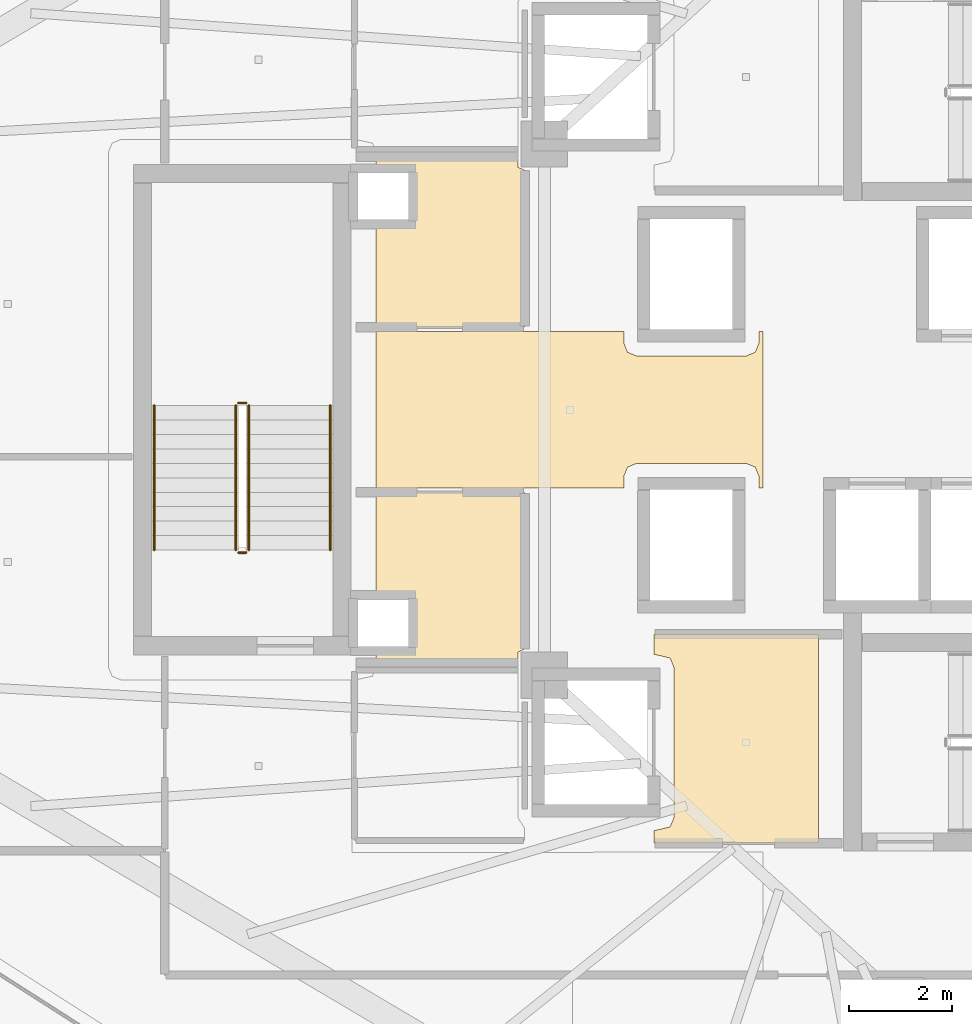
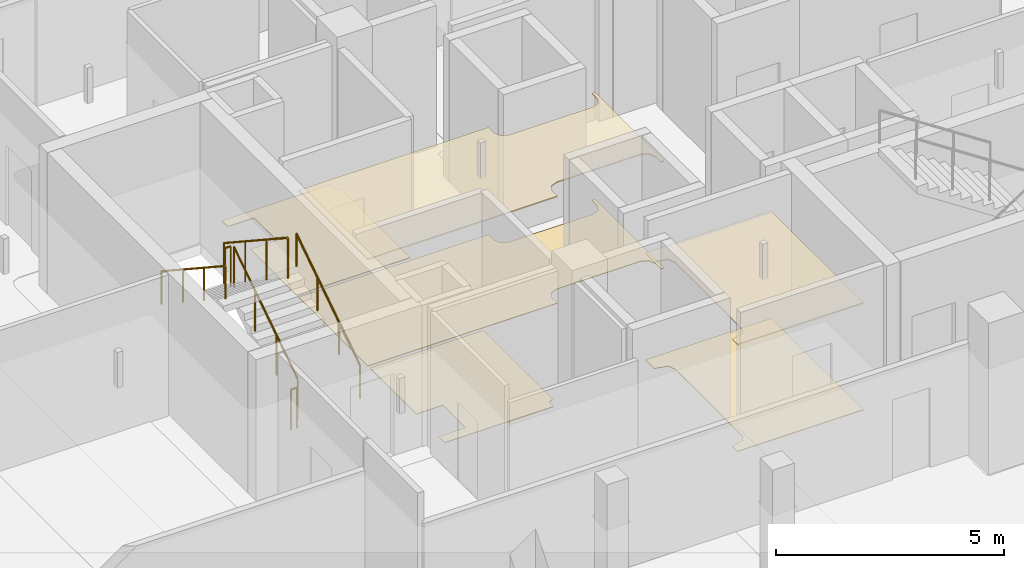
# One storey, part 26 of 30: 6 coverings, 6 railings.
"""IFC4 building model written with IfcOpenShell, lengths in metres."""

from ifc_helpers import new_model, si_unit, direction, frame, origin, origin_2d, place, context, subcontext, project, spatial, polyline, circle, outline, extrude, material, layer, layer_set, type_object, element, save


model = new_model("IFC4")

# Units and contexts
model_context = context("Model", 3, precision=1e-05, world=origin(), true_north=direction((0.0, 1.0)))
body_context = subcontext(model_context, "Body", "Model", "MODEL_VIEW")
ifc_project = project(units=[si_unit("LENGTHUNIT", "METRE"), si_unit("AREAUNIT", "SQUARE_METRE"), si_unit("VOLUMEUNIT", "CUBIC_METRE"), si_unit("PLANEANGLEUNIT", "RADIAN"), si_unit("MASSUNIT", "GRAM", prefix="KILO")], contexts=[model_context])

# Site, building, storey
site_placement = place(None, origin())
site = spatial("IfcSite", under=ifc_project, at=site_placement, CompositionType="ELEMENT")
building_placement = place(site_placement, origin())
building = spatial("IfcBuilding", under=site, at=building_placement, Name="Qorvath Tower", CompositionType="ELEMENT")
storey_placement = place(building_placement, frame((0.0, 0.0, 217.199951171875)))
storey = spatial("IfcBuildingStorey", under=building, at=storey_placement, Name="L50", CompositionType="ELEMENT", Elevation=217.199951171875)

# Coverings
ifc_material_1 = material(Name="Acoustic mineral fibre ceiling tile", Category="gypsum")
ifc_layer_1 = layer(ifc_material_1, 0.030029296875)
ifc_layer_set_1 = layer_set([ifc_layer_1], Name="COV-CEIL")
covering_type_1 = type_object("IfcCoveringType", Name="COV-CEIL", PredefinedType="CEILING", material=ifc_layer_set_1)
covering_1_placement = place(storey_placement, frame((0.0, 0.0, 2.85009765625)))
element("IfcCovering", 1, at=covering_1_placement, inside=storey, type_object=covering_type_1, Name="L50 Suspended Acoustic Ceiling 002", PredefinedType="CEILING", context=body_context, shape_type="SweptSolid", body=[
    extrude(outline(polyline([(-25.18994140625, -8.39501953125), (-25.18994140625, -4.35498046875), (-28.375, -4.35498046875), (-28.375, -4.739990234375), (-28.063232421875, -4.813232421875), (-27.989990234375, -4.989990234375), (-27.989990234375, -7.909912109375), (-28.063232421875, -8.086669921875), (-28.375, -8.159912109375), (-28.375, -8.39501953125), (-25.18994140625, -8.39501953125)])), origin(), (0.0, 0.0, 1.0), 0.030029296875),
])
covering_2_placement = place(storey_placement, frame((0.0, 0.0, 2.85009765625)))
element("IfcCovering", 2, at=covering_2_placement, inside=storey, type_object=covering_type_1, Name="L50 Suspended Acoustic Ceiling 011", PredefinedType="CEILING", context=body_context, shape_type="SweptSolid", body=[
    extrude(outline(polyline([(-26.2587890625, -1.514892578125), (-26.2587890625, 1.514892578125), (-26.340087890625, 1.514892578125), (-26.340087890625, 1.2900390625), (-26.413330078125, 1.11328125), (-26.590087890625, 1.0400390625), (-28.7099609375, 1.0400390625), (-28.88671875, 1.11328125), (-28.9599609375, 1.2900390625), (-28.9599609375, 1.514892578125), (-33.760009765625, 1.514892578125), (-33.760009765625, -1.514892578125), (-28.9599609375, -1.514892578125), (-28.9599609375, -1.2900390625), (-28.88671875, -1.11328125), (-28.7099609375, -1.0400390625), (-26.590087890625, -1.0400390625), (-26.413330078125, -1.11328125), (-26.340087890625, -1.2900390625), (-26.340087890625, -1.514892578125), (-26.2587890625, -1.514892578125)])), origin(), (0.0, 0.0, 1.0), 0.030029296875),
])
ifc_material_2 = material(Name="Low-VOC modular carpet tile", Category="textile")
ifc_layer_2 = layer(ifc_material_2, 0.014892578125)
ifc_layer_set_2 = layer_set([ifc_layer_2], Name="COV-FLOOR-CPT")
covering_type_2 = type_object("IfcCoveringType", Name="COV-FLOOR-CPT", PredefinedType="FLOORING", material=ifc_layer_set_2)
covering_3_placement = place(storey_placement, origin())
element("IfcCovering", 3, at=covering_3_placement, inside=storey, type_object=covering_type_2, Name="L50 Floor Finish 006", PredefinedType="FLOORING", context=body_context, shape_type="SweptSolid", body=[
    extrude(outline(polyline([(-31.010009765625, 4.89501953125), (-33.760009765625, 4.89501953125), (-33.760009765625, 4.633056640625), (-33.08837890625, 4.631591796875), (-33.0869140625, 3.64208984375), (-33.760009765625, 3.636962890625), (-33.760009765625, 1.60498046875), (-30.885009765625, 1.60498046875), (-30.885009765625, 4.639892578125), (-31.010009765625, 4.699951171875), (-31.010009765625, 4.89501953125)])), origin(), (0.0, 0.0, 1.0), 0.01513671875),
])
covering_4_placement = place(storey_placement, origin())
element("IfcCovering", 4, at=covering_4_placement, inside=storey, type_object=covering_type_2, Name="L50 Floor Finish 008", PredefinedType="FLOORING", context=body_context, shape_type="SweptSolid", body=[
    extrude(outline(polyline([(-30.885009765625, -1.60498046875), (-33.760009765625, -1.60498046875), (-33.760009765625, -3.636962890625), (-33.08837890625, -3.638427734375), (-33.0869140625, -4.6279296875), (-33.760009765625, -4.633056640625), (-33.760009765625, -4.89501953125), (-31.010009765625, -4.89501953125), (-31.010009765625, -4.699951171875), (-30.885009765625, -4.639892578125), (-30.885009765625, -1.60498046875)])), origin(), (0.0, 0.0, 1.0), 0.01513671875),
])
ifc_material_3 = material(Name="Polished epoxy terrazzo flooring", Category="concrete")
ifc_layer_3 = layer(ifc_material_3, 0.02001953125)
ifc_layer_set_3 = layer_set([ifc_layer_3], Name="COV-FLOOR-TRZ")
covering_type_3 = type_object("IfcCoveringType", Name="COV-FLOOR-TRZ", PredefinedType="FLOORING", material=ifc_layer_set_3)
covering_5_placement = place(storey_placement, origin())
element("IfcCovering", 5, at=covering_5_placement, inside=storey, type_object=covering_type_3, Name="L50 Floor Finish 002", PredefinedType="FLOORING", context=body_context, shape_type="SweptSolid", body=[
    extrude(outline(polyline([(-25.18994140625, -8.39501953125), (-25.18994140625, -4.35498046875), (-28.375, -4.35498046875), (-28.375, -4.739990234375), (-28.063232421875, -4.813232421875), (-27.989990234375, -4.989990234375), (-27.989990234375, -7.909912109375), (-28.063232421875, -8.086669921875), (-28.375, -8.159912109375), (-28.375, -8.39501953125), (-25.18994140625, -8.39501953125)])), origin(), (0.0, 0.0, 1.0), 0.01513671875),
])
covering_6_placement = place(storey_placement, origin())
element("IfcCovering", 6, at=covering_6_placement, inside=storey, type_object=covering_type_3, Name="L50 Floor Finish 011", PredefinedType="FLOORING", context=body_context, shape_type="SweptSolid", body=[
    extrude(outline(polyline([(-26.2587890625, -1.514892578125), (-26.2587890625, 1.514892578125), (-26.340087890625, 1.514892578125), (-26.340087890625, 1.2900390625), (-26.413330078125, 1.11328125), (-26.590087890625, 1.0400390625), (-28.7099609375, 1.0400390625), (-28.88671875, 1.11328125), (-28.9599609375, 1.2900390625), (-28.9599609375, 1.514892578125), (-33.760009765625, 1.514892578125), (-33.760009765625, -1.514892578125), (-28.9599609375, -1.514892578125), (-28.9599609375, -1.2900390625), (-28.88671875, -1.11328125), (-28.7099609375, -1.0400390625), (-26.590087890625, -1.0400390625), (-26.413330078125, -1.11328125), (-26.340087890625, -1.2900390625), (-26.340087890625, -1.514892578125), (-26.2587890625, -1.514892578125)])), origin(), (0.0, 0.0, 1.0), 0.01513671875),
])

# Railings
ifc_material_4 = material(Name="Painted galvanised steel", Category="steel")
railing_type_1 = type_object("IfcRailingType", Name="RL-STR-GRD", PredefinedType="GUARDRAIL", material=ifc_material_4)
railing_1_placement = place(storey_placement, frame((-36.22998046875, -2.719970703125, 0.18408203125)))
element("IfcRailing", 7, at=railing_1_placement, inside=storey, type_object=railing_type_1, Name="L50 TS3 stair guard 1", PredefinedType="GUARDRAIL", context=body_context, shape_type="SweptSolid", body=[
    extrude(circle(Radius=0.02392578125, at=origin_2d()), frame((0.0, 0.0, 1.076171875), z_axis=(0.0, 0.83556406348, 0.549393024911), x_axis=(-1.0, 0.0, 0.0)), (0.0, 0.0, 1.0), 3.35107421875),
    extrude(circle(Radius=0.02099609375, at=origin_2d()), origin(), (0.0, 0.0, 1.0), 1.052001953125),
    extrude(circle(Radius=0.02099609375, at=origin_2d()), frame((0.0, 0.933349609375, 0.61376953125)), (0.0, 0.0, 1.0), 1.052001953125),
    extrude(circle(Radius=0.02099609375, at=origin_2d()), frame((0.0, 1.86669921875, 1.227294921875)), (0.0, 0.0, 1.0), 1.052001953125),
    extrude(circle(Radius=0.02099609375, at=origin_2d()), frame((0.0, 2.800048828125, 1.841064453125)), (0.0, 0.0, 1.0), 1.052001953125),
])
railing_2_placement = place(storey_placement, frame((-36.280029296875, 0.1298828125, 2.025146484375)))
element("IfcRailing", 8, at=railing_2_placement, inside=storey, type_object=railing_type_1, Name="L50 TS3 stair guard 2", PredefinedType="GUARDRAIL", context=body_context, shape_type="SweptSolid", body=[
    extrude(circle(Radius=0.02392578125, at=origin_2d()), frame((0.0, 0.0, 1.076171875), z_axis=(-1.0, 0.0, 0.0), x_axis=(0.0, -1.0, 0.0)), (0.0, 0.0, 1.0), 0.14990234375),
    extrude(circle(Radius=0.02099609375, at=origin_2d()), origin(), (0.0, 0.0, 1.0), 1.052001953125),
    extrude(circle(Radius=0.02099609375, at=origin_2d()), frame((-0.14990234375, 0.0, 0.0)), (0.0, 0.0, 1.0), 1.052001953125),
])
railing_3_placement = place(storey_placement, frame((-36.47998046875, 0.080078125, 2.209228515625)))
element("IfcRailing", 9, at=railing_3_placement, inside=storey, type_object=railing_type_1, Name="L50 TS3 stair guard 3", PredefinedType="GUARDRAIL", context=body_context, shape_type="SweptSolid", body=[
    extrude(circle(Radius=0.02392578125, at=origin_2d()), frame((0.0, 0.0, 1.076171875), z_axis=(0.0, -0.835597507184, 0.549342157483), x_axis=(1.0, 0.0, 0.0)), (0.0, 0.0, 1.0), 3.35107421875),
    extrude(circle(Radius=0.02099609375, at=origin_2d()), origin(), (0.0, 0.0, 1.0), 1.052001953125),
    extrude(circle(Radius=0.02099609375, at=origin_2d()), frame((0.0, -0.933349609375, 0.613525390625)), (0.0, 0.0, 1.0), 1.052001953125),
    extrude(circle(Radius=0.02099609375, at=origin_2d()), frame((0.0, -1.86669921875, 1.227294921875)), (0.0, 0.0, 1.0), 1.052001953125),
    extrude(circle(Radius=0.02099609375, at=origin_2d()), frame((0.0, -2.800048828125, 1.8408203125)), (0.0, 0.0, 1.0), 1.052001953125),
])
railing_4_placement = place(storey_placement, frame((-36.280029296875, -2.77001953125, 0.0)))
element("IfcRailing", 10, at=railing_4_placement, inside=storey, type_object=railing_type_1, Name="L50 TS3 stair guard 4", PredefinedType="GUARDRAIL", context=body_context, shape_type="SweptSolid", body=[
    extrude(circle(Radius=0.02392578125, at=origin_2d()), frame((0.0, 0.0, 1.076171875), z_axis=(-1.0, 0.0, 0.0), x_axis=(0.0, -1.0, 0.0)), (0.0, 0.0, 1.0), 0.14990234375),
    extrude(circle(Radius=0.02099609375, at=origin_2d()), origin(), (0.0, 0.0, 1.0), 1.052001953125),
    extrude(circle(Radius=0.02099609375, at=origin_2d()), frame((-0.14990234375, 0.0, 0.0)), (0.0, 0.0, 1.0), 1.052001953125),
])
ifc_material_5 = material(Name="Brushed stainless steel AISI 304", Category="steel")
railing_type_2 = type_object("IfcRailingType", Name="RL-STR-HND", PredefinedType="HANDRAIL", material=ifc_material_5)
railing_5_placement = place(storey_placement, frame((-34.64990234375, -2.719970703125, 0.18408203125)))
element("IfcRailing", 11, at=railing_5_placement, inside=storey, type_object=railing_type_2, Name="L50 TS3 stair handrail 1", PredefinedType="HANDRAIL", context=body_context, shape_type="SweptSolid", body=[
    extrude(circle(Radius=0.02392578125, at=origin_2d()), frame((0.0, 0.0, 0.8759765625), z_axis=(0.0, 0.83556406348, 0.549393024911), x_axis=(-1.0, 0.0, 0.0)), (0.0, 0.0, 1.0), 3.35107421875),
    extrude(circle(Radius=0.02099609375, at=origin_2d()), origin(), (0.0, 0.0, 1.0), 0.851806640625),
    extrude(circle(Radius=0.02099609375, at=origin_2d()), frame((0.0, 0.933349609375, 0.61376953125)), (0.0, 0.0, 1.0), 0.851806640625),
    extrude(circle(Radius=0.02099609375, at=origin_2d()), frame((0.0, 1.86669921875, 1.227294921875)), (0.0, 0.0, 1.0), 0.851806640625),
    extrude(circle(Radius=0.02099609375, at=origin_2d()), frame((0.0, 2.800048828125, 1.841064453125)), (0.0, 0.0, 1.0), 0.851806640625),
])
railing_6_placement = place(storey_placement, frame((-38.06005859375, 0.080078125, 2.209228515625)))
element("IfcRailing", 12, at=railing_6_placement, inside=storey, type_object=railing_type_2, Name="L50 TS3 stair handrail 2", PredefinedType="HANDRAIL", context=body_context, shape_type="SweptSolid", body=[
    extrude(circle(Radius=0.02392578125, at=origin_2d()), frame((0.0, 0.0, 0.8759765625), z_axis=(0.0, -0.835597507184, 0.549342157483), x_axis=(1.0, 0.0, 0.0)), (0.0, 0.0, 1.0), 3.35107421875),
    extrude(circle(Radius=0.02099609375, at=origin_2d()), origin(), (0.0, 0.0, 1.0), 0.851806640625),
    extrude(circle(Radius=0.02099609375, at=origin_2d()), frame((0.0, -0.933349609375, 0.613525390625)), (0.0, 0.0, 1.0), 0.851806640625),
    extrude(circle(Radius=0.02099609375, at=origin_2d()), frame((0.0, -1.86669921875, 1.227294921875)), (0.0, 0.0, 1.0), 0.851806640625),
    extrude(circle(Radius=0.02099609375, at=origin_2d()), frame((0.0, -2.800048828125, 1.8408203125)), (0.0, 0.0, 1.0), 0.851806640625),
])

save(model, "model.ifc")
